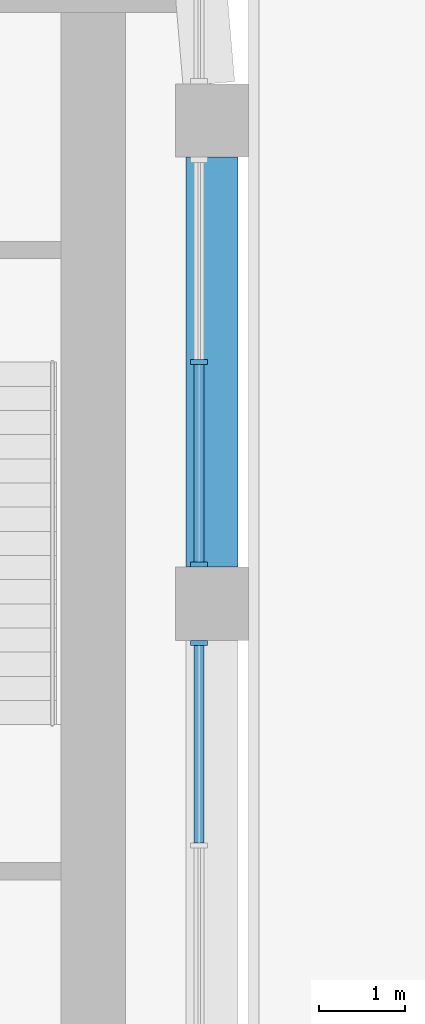
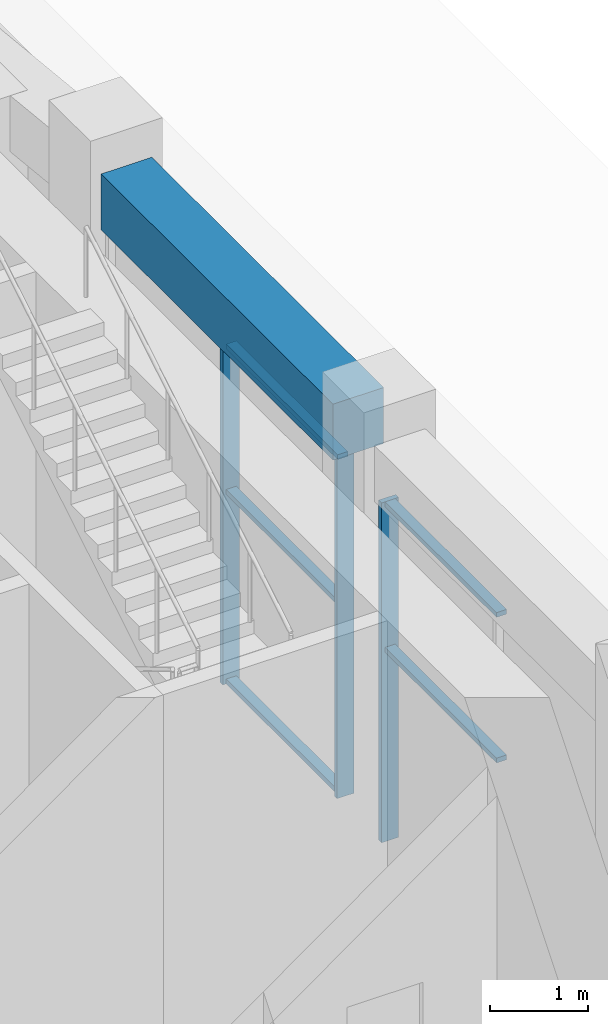
# One storey, part 7 of 26: 8 members, 1 beam, 2 elements without a shape of their own.
"""IFC4 building model written with IfcOpenShell, lengths in metres."""

import ifcopenshell
import ifcopenshell.guid

model = None  # the IFC model being written
_history = None  # IfcOwnerHistory: only IFC2X3 demands one
_inside = {}  # id of a spatial element -> (the spatial element, [elements in it])
_under = {}  # id of a project, library or spatial element -> (it, [spatial elements below it])
_declared = {}  # id of a project -> (the project, [libraries it declares])
_typed = {}  # id of a type object -> (the type object, [elements of that type])
_made_of = {}  # id of a material, layer set ... -> (it, [elements and type objects made of it])


def new_model(schema):
    """Start an empty IFC model of exactly this schema.

    Asked for "IFC4X3", IfcOpenShell would pick the latest addendum, in which some entities
    have other attributes; the version numbers below select the first issue.
    IFC2X3 requires an IfcOwnerHistory on every rooted entity: one is made here for all.
    """
    global model, _history
    if schema == "IFC4X3":
        model = ifcopenshell.file(schema_version=(4, 3, 0, 0))
    else:
        model = ifcopenshell.file(schema=schema)
    _inside.clear()
    _under.clear()
    _declared.clear()
    _typed.clear()
    _made_of.clear()
    _history = None
    if model.schema == "IFC2X3":
        org = make("IfcOrganization", Name="unknown")
        user = make(
            "IfcPersonAndOrganization",
            ThePerson=make("IfcPerson", FamilyName="unknown"),
            TheOrganization=org,
        )
        app = make(
            "IfcApplication",
            ApplicationDeveloper=org,
            Version="unknown",
            ApplicationFullName="unknown",
            ApplicationIdentifier="unknown",
        )
        _history = make(
            "IfcOwnerHistory",
            OwningUser=user,
            OwningApplication=app,
            ChangeAction="ADDED",
            CreationDate=0,
        )
    return model


def make(cls, **values):
    """One entity of the class cls with the attributes given. An attribute that is None is left unset."""
    return model.create_entity(
        cls, **{name: value for name, value in values.items() if value is not None}
    )


def rooted(cls, **values):
    """An entity with a GlobalId (a new one), such as an element, a storey or a relation."""
    return make(cls, GlobalId=ifcopenshell.guid.new(), OwnerHistory=_history, **values)


def si_unit(unit_type, name, prefix=None):
    """IfcSIUnit, for example si_unit("LENGTHUNIT", "METRE", prefix="MILLI")."""
    return make("IfcSIUnit", UnitType=unit_type, Prefix=prefix, Name=name)


def assignment(units):
    """IfcUnitAssignment: the units of a project."""
    return None if units is None else make("IfcUnitAssignment", Units=units)


def point(xyz):
    """IfcCartesianPoint."""
    return None if xyz is None else make("IfcCartesianPoint", Coordinates=xyz)


def direction(xyz):
    """IfcDirection."""
    return None if xyz is None else make("IfcDirection", DirectionRatios=xyz)


def frame(location, z_axis=None, x_axis=None):
    """IfcAxis2Placement3D, a coordinate frame: its origin and axes. An axis left out is left unset."""
    return make(
        "IfcAxis2Placement3D",
        Location=point(location),
        Axis=direction(z_axis),
        RefDirection=direction(x_axis),
    )


def frame_2d(location, x_axis=None):
    """IfcAxis2Placement2D, a coordinate frame in the plane: its origin and x axis."""
    return make(
        "IfcAxis2Placement2D", Location=point(location), RefDirection=direction(x_axis)
    )


def origin():
    """The frame at (0, 0, 0) with its axes left unset."""
    return frame((0.0, 0.0, 0.0))


def origin_2d():
    """The frame at (0, 0) in the plane with its x axis left unset."""
    return frame_2d((0.0, 0.0))


def place(relative_to, where):
    """IfcLocalPlacement: puts the frame where relative to a parent placement (None: the world)."""
    return make(
        "IfcLocalPlacement", PlacementRelTo=relative_to, RelativePlacement=where
    )


def context(
    kind, dimensions, precision=None, world=None, true_north=None, identifier=None
):
    """IfcGeometricRepresentationContext, for example the 3D "Model" context."""
    return make(
        "IfcGeometricRepresentationContext",
        ContextIdentifier=identifier,
        ContextType=kind,
        CoordinateSpaceDimension=dimensions,
        Precision=precision,
        WorldCoordinateSystem=world,
        TrueNorth=true_north,
    )


def subcontext(parent, identifier, kind, view, scale=None):
    """IfcGeometricRepresentationSubContext, for example "Body" below "Model"."""
    return make(
        "IfcGeometricRepresentationSubContext",
        ContextIdentifier=identifier,
        ContextType=kind,
        ParentContext=parent,
        TargetScale=scale,
        TargetView=view,
    )


def project(units=None, contexts=None):
    """IfcProject with its units and contexts."""
    return rooted(
        "IfcProject",
        Name="project",
        RepresentationContexts=contexts,
        UnitsInContext=assignment(units),
    )


def spatial(cls, under=None, at=None, **own):
    """A site, building, storey or space (cls), placed at a placement, below another one or the project."""
    s = rooted(cls, ObjectPlacement=at, **own)
    if under is not None:
        _under.setdefault(under.id(), (under, []))[1].append(s)
    return s


def profile(cls, at=None, kind="AREA", **sizes):
    """A parametric profile (cls). Its sizes go by their IFC names, for example OverallWidth=200.0."""
    return make(cls, ProfileType=kind, Position=at, **sizes)


def rectangle(**sizes):
    """IfcRectangleProfileDef."""
    return profile("IfcRectangleProfileDef", **sizes)


def extrude(swept, where, along, depth):
    """IfcExtrudedAreaSolid: the profile swept, set in the frame where, extruded along a direction by depth."""
    return make(
        "IfcExtrudedAreaSolid",
        SweptArea=swept,
        Position=where,
        ExtrudedDirection=direction(along),
        Depth=depth,
    )


def shape(context_of_items, identifier, shape_type, items):
    """IfcShapeRepresentation: the items that make up one representation, for example the "Body"."""
    return make(
        "IfcShapeRepresentation",
        ContextOfItems=context_of_items,
        RepresentationIdentifier=identifier,
        RepresentationType=shape_type,
        Items=items,
    )


def material(Name=None, Category=None):
    """IfcMaterial."""
    return make("IfcMaterial", Name=Name, Category=Category)


def layer(
    of_material, thickness, ventilated=None, Name=None, Category=None, Priority=None
):
    """IfcMaterialLayer: one layer of a wall or slab, of a material (None: an air gap)."""
    return make(
        "IfcMaterialLayer",
        Material=of_material,
        LayerThickness=thickness,
        IsVentilated=ventilated,
        Name=Name,
        Category=Category,
        Priority=Priority,
    )


def layer_set(layers, Name=None):
    """IfcMaterialLayerSet."""
    return make("IfcMaterialLayerSet", MaterialLayers=layers, LayerSetName=Name)


def material_profile(
    of_material, cross_section, Name=None, Category=None, Priority=None
):
    """IfcMaterialProfile: a cross section and its material."""
    return make(
        "IfcMaterialProfile",
        Name=Name,
        Material=of_material,
        Profile=cross_section,
        Priority=Priority,
        Category=Category,
    )


def profile_set(profiles, Name=None, composite=None):
    """IfcMaterialProfileSet."""
    return make(
        "IfcMaterialProfileSet",
        Name=Name,
        MaterialProfiles=profiles,
        CompositeProfile=composite,
    )


def made_of(thing, what):
    """Note that an element or type object is made of a material, layer set ...; save() writes the relation."""
    if what is not None:
        _made_of.setdefault(what.id(), (what, []))[1].append(thing)
    return thing


def type_object(cls, material=None, **own):
    """A type object (cls), such as IfcWallType, which elements share."""
    return made_of(rooted(cls, **own), material)


def element(
    cls,
    number,
    at=None,
    inside=None,
    cuts=None,
    type_object=None,
    material=None,
    context=None,
    identifier="Body",
    shape_type=None,
    held_by="IfcProductDefinitionShape",
    body=None,
    shapes=None,
    **own,
):
    """One element of the class cls, such as IfcWall. Its Tag is "e" and its number.

    at: its placement. inside: the storey or other place that contains it. cuts: it is an
    opening in that element (IfcRelVoidsElement). A single representation is given by context,
    identifier, shape_type and body (its items); several are given by shapes. held_by: the class
    of the entity that holds the representations. save() writes the other relations.
    """
    e = rooted(cls, Tag="e%d" % number, ObjectPlacement=at, **own)
    if body is not None:
        shapes = [shape(context, identifier, shape_type, body)]
    if shapes is not None:
        e.Representation = make(held_by, Representations=shapes)
    if inside is not None:
        _inside.setdefault(inside.id(), (inside, []))[1].append(e)
    if cuts is not None:
        rooted(
            "IfcRelVoidsElement", RelatingBuildingElement=cuts, RelatedOpeningElement=e
        )
    if type_object is not None:
        _typed.setdefault(type_object.id(), (type_object, []))[1].append(e)
    return made_of(e, material)


def aggregate(whole, parts):
    """IfcRelAggregates: a whole, such as a stair, and the parts it consists of."""
    return rooted("IfcRelAggregates", RelatingObject=whole, RelatedObjects=parts)


def save(model, path):
    """Write the relations noted so far, then the file.

    IfcRelAggregates (storeys below a building ...), IfcRelContainedInSpatialStructure (elements
    in a storey), IfcRelDefinesByType, IfcRelAssociatesMaterial and IfcRelDeclares: one each for
    every whole, place, type object, material and project.
    """
    for whole, parts in _under.values():
        aggregate(whole, parts)
    for where, things in _inside.values():
        rooted(
            "IfcRelContainedInSpatialStructure",
            RelatedElements=things,
            RelatingStructure=where,
        )
    for kind, things in _typed.values():
        rooted("IfcRelDefinesByType", RelatedObjects=things, RelatingType=kind)
    for what, things in _made_of.values():
        rooted("IfcRelAssociatesMaterial", RelatedObjects=things, RelatingMaterial=what)
    for by, libraries in _declared.values():
        rooted("IfcRelDeclares", RelatingContext=by, RelatedDefinitions=libraries)
    model.write(path)


model = new_model("IFC4")

# Units and contexts
model_context = context("Model", 3, precision=1e-05, world=origin(), true_north=direction((0.0, 1.0)))
body_context = subcontext(model_context, "Body", "Model", "MODEL_VIEW")
ifc_project = project(units=[si_unit("LENGTHUNIT", "METRE"), si_unit("AREAUNIT", "SQUARE_METRE"), si_unit("VOLUMEUNIT", "CUBIC_METRE"), si_unit("PLANEANGLEUNIT", "RADIAN"), si_unit("MASSUNIT", "GRAM", prefix="KILO")], contexts=[model_context])

# Site, building, storey
site_placement = place(None, origin())
site = spatial("IfcSite", under=ifc_project, at=site_placement, CompositionType="ELEMENT")
building_placement = place(site_placement, origin())
building = spatial("IfcBuilding", under=site, at=building_placement, Name="Kiln Ring Residences", CompositionType="ELEMENT")
storey_placement = place(building_placement, frame((0.0, 0.0, 230.89990234375)))
storey = spatial("IfcBuildingStorey", under=building, at=storey_placement, Name="L60", CompositionType="ELEMENT", Elevation=230.89990234375)

# Curtain wall, member
ifc_material_1 = material(Name="Aluminium and glass", Category="aluminium")
ifc_layer = layer(ifc_material_1, 0.199951171875)
ifc_layer_set = layer_set([ifc_layer], Name="CW1 CURTAIN WALL")
curtain_wall_type = type_object("IfcCurtainWallType", Name="CW1 CURTAIN WALL", PredefinedType="NOTDEFINED", material=ifc_layer_set)
placement = place(storey_placement, origin())
curtain_wall_1 = element("IfcCurtainWall", 1, at=placement, inside=storey, type_object=curtain_wall_type, Name="Curtain wall CW1 L60", PredefinedType="NOTDEFINED")
ifc_material_2 = material(Name="Aluminium 6063-T6", Category="aluminium")
ifc_material_profile_1 = material_profile(ifc_material_2, rectangle(XDim=0.199951171875, YDim=0.06005859375, at=origin_2d()), Name="AL 200x60")
ifc_profile_set_1 = profile_set([ifc_material_profile_1], Name="Aluminium 6063-T6")
member_type_1 = type_object("IfcMemberType", Name="CW1 MULLION 200 x 60", PredefinedType="MULLION", material=ifc_profile_set_1)
member_1_placement = place(storey_placement, frame((25.050048828125, 5.14501953125, 0.0), z_axis=(0.0, 0.0, 1.0), x_axis=(-1.0, 0.0, 0.0)))
member_1 = element("IfcMember", 2, at=member_1_placement, type_object=member_type_1, Name="CW1 mullion 3", PredefinedType="MULLION", context=body_context, shape_type="SweptSolid", body=[
    extrude(rectangle(XDim=0.199951171875, YDim=0.06005859375, at=origin_2d()), origin(), (0.0, 0.0, 1.0), 4.25),
])

# Curtain wall, members
curtain_wall_2 = element("IfcCurtainWall", 3, at=placement, inside=storey, type_object=curtain_wall_type, Name="Curtain wall CW1 L60", PredefinedType="NOTDEFINED")
member_2_placement = place(storey_placement, frame((25.050048828125, 6.054931640625, 0.0), z_axis=(0.0, 0.0, 1.0), x_axis=(-1.0, 0.0, 0.0)))
member_2 = element("IfcMember", 4, at=member_2_placement, type_object=member_type_1, Name="CW1 mullion 1", PredefinedType="MULLION", context=body_context, shape_type="SweptSolid", body=[
    extrude(rectangle(XDim=0.199951171875, YDim=0.06005859375, at=origin_2d()), origin(), (0.0, 0.0, 1.0), 4.25),
])
member_3_placement = place(storey_placement, frame((25.050048828125, 8.39990234375, 0.0), z_axis=(0.0, 0.0, 1.0), x_axis=(-1.0, 0.0, 0.0)))
member_3 = element("IfcMember", 5, at=member_3_placement, type_object=member_type_1, Name="CW1 mullion 2", PredefinedType="MULLION", context=body_context, shape_type="SweptSolid", body=[
    extrude(rectangle(XDim=0.199951171875, YDim=0.06005859375, at=origin_2d()), origin(), (0.0, 0.0, 1.0), 4.25),
])

# Member
ifc_material_3 = material(Name="Aluminium 6063-T6", Category="aluminium")
ifc_material_profile_2 = material_profile(ifc_material_3, rectangle(XDim=0.1201171875, YDim=0.06005859375, at=origin_2d()), Name="AL 120x60")
ifc_profile_set_2 = profile_set([ifc_material_profile_2], Name="Aluminium 6063-T6")
member_type_2 = type_object("IfcMemberType", Name="CW1 TRANSOM 120 x 60", PredefinedType="USERDEFINED", material=ifc_profile_set_2)
member_4_placement = place(storey_placement, frame((25.050048828125, 2.830078125, 2.400146484375), z_axis=(0.0, 1.0, 0.0), x_axis=(-1.0, 0.0, 0.0)))
member_4 = element("IfcMember", 6, at=member_4_placement, type_object=member_type_2, Name="CW1 transom 2.2", ObjectType="TRANSOM", PredefinedType="USERDEFINED", context=body_context, shape_type="SweptSolid", body=[
    extrude(rectangle(XDim=0.1201171875, YDim=0.06005859375, at=origin_2d()), origin(), (0.0, 0.0, 1.0), 2.284912109375),
])

member_5_placement = place(storey_placement, frame((25.050048828125, 2.830078125, 4.22021484375), z_axis=(0.0, 1.0, 0.0), x_axis=(-1.0, 0.0, 0.0)))
member_5 = element("IfcMember", 7, at=member_5_placement, type_object=member_type_2, Name="CW1 transom 2.3", ObjectType="TRANSOM", PredefinedType="USERDEFINED", context=body_context, shape_type="SweptSolid", body=[
    extrude(rectangle(XDim=0.1201171875, YDim=0.06005859375, at=origin_2d()), origin(), (0.0, 0.0, 1.0), 2.284912109375),
])

aggregate(curtain_wall_1, [member_1, member_4, member_5])

member_6_placement = place(storey_placement, frame((25.050048828125, 6.0849609375, 0.030029296875), z_axis=(0.0, 1.0, 0.0), x_axis=(-1.0, 0.0, 0.0)))
member_6 = element("IfcMember", 8, at=member_6_placement, type_object=member_type_2, Name="CW1 transom 1.1", ObjectType="TRANSOM", PredefinedType="USERDEFINED", context=body_context, shape_type="SweptSolid", body=[
    extrude(rectangle(XDim=0.1201171875, YDim=0.06005859375, at=origin_2d()), origin(), (0.0, 0.0, 1.0), 2.28515625),
])

member_7_placement = place(storey_placement, frame((25.050048828125, 6.0849609375, 2.400146484375), z_axis=(0.0, 1.0, 0.0), x_axis=(-1.0, 0.0, 0.0)))
member_7 = element("IfcMember", 9, at=member_7_placement, type_object=member_type_2, Name="CW1 transom 1.2", ObjectType="TRANSOM", PredefinedType="USERDEFINED", context=body_context, shape_type="SweptSolid", body=[
    extrude(rectangle(XDim=0.1201171875, YDim=0.06005859375, at=origin_2d()), origin(), (0.0, 0.0, 1.0), 2.28515625),
])

member_8_placement = place(storey_placement, frame((25.050048828125, 6.0849609375, 4.22021484375), z_axis=(0.0, 1.0, 0.0), x_axis=(-1.0, 0.0, 0.0)))
member_8 = element("IfcMember", 10, at=member_8_placement, type_object=member_type_2, Name="CW1 transom 1.3", ObjectType="TRANSOM", PredefinedType="USERDEFINED", context=body_context, shape_type="SweptSolid", body=[
    extrude(rectangle(XDim=0.1201171875, YDim=0.06005859375, at=origin_2d()), origin(), (0.0, 0.0, 1.0), 2.28515625),
])

aggregate(curtain_wall_2, [member_2, member_3, member_6, member_7, member_8])

# Beam
ifc_material_4 = material(Name="Concrete C50/60", Category="concrete")
ifc_material_profile_3 = material_profile(ifc_material_4, rectangle(XDim=0.60009765625, YDim=0.699951171875, at=origin_2d()), Name="RC600x700")
ifc_profile_set_3 = profile_set([ifc_material_profile_3], Name="Concrete C50/60")
beam_type = type_object("IfcBeamType", Name="Spandrel beam RC600x700 C50/60", PredefinedType="SPANDREL", material=ifc_profile_set_3)
beam_placement = place(storey_placement, frame((25.199951171875, 6.02490234375, 4.60009765625), z_axis=(0.0, 1.0, 0.0), x_axis=(-1.0, 0.0, 0.0)))
element("IfcBeam", 11, at=beam_placement, inside=storey, type_object=beam_type, Name="Spandrel beam L60 9", PredefinedType="SPANDREL", context=body_context, shape_type="SweptSolid", body=[
    extrude(rectangle(XDim=0.60009765625, YDim=0.699951171875, at=origin_2d()), origin(), (0.0, 0.0, 1.0), 4.75),
])

save(model, "model.ifc")
